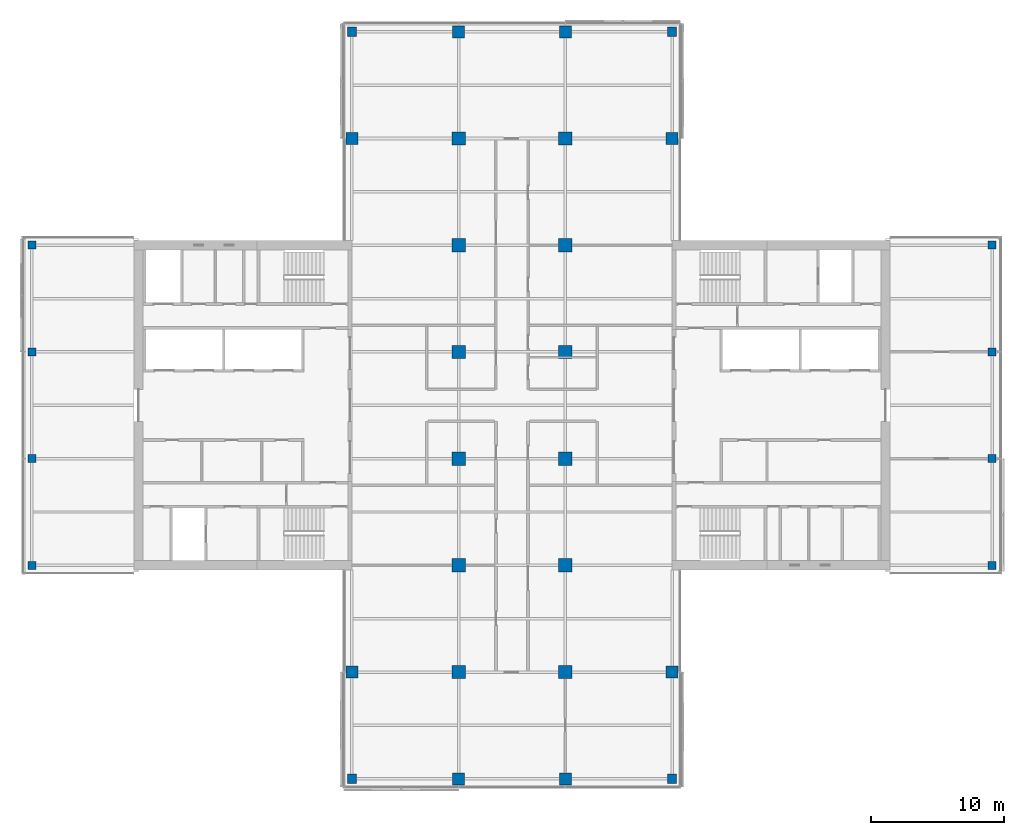
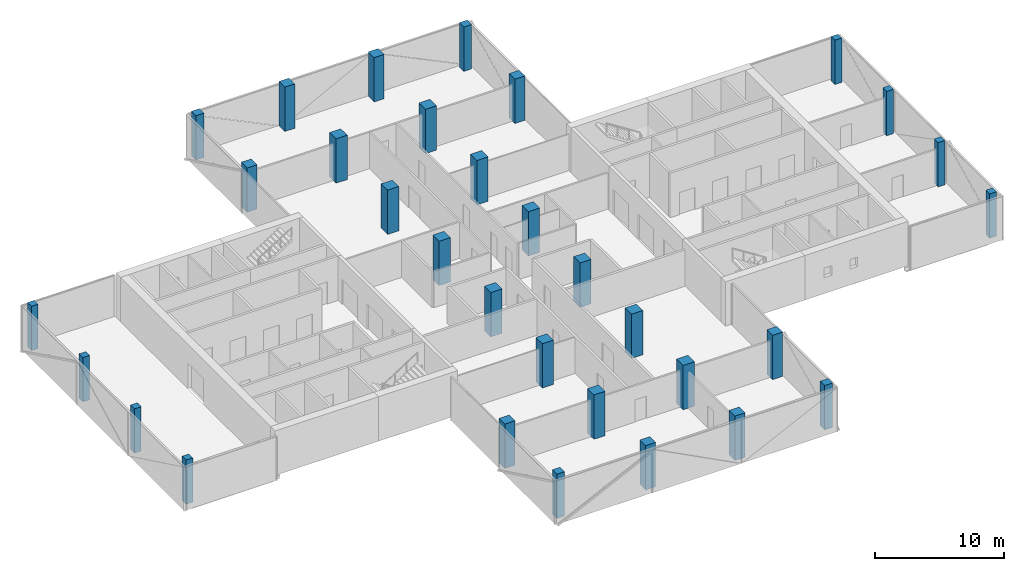
# One storey, part 1 of 22: 32 columns.
"""IFC4 building model written with IfcOpenShell, lengths in metres."""

from ifc_helpers import new_model, si_unit, direction, frame, origin, origin_2d, place, context, subcontext, project, spatial, rectangle, extrude, material, material_profile, profile_set, type_object, element, save


model = new_model("IFC4")

# Units and contexts
model_context = context("Model", 3, precision=1e-05, world=origin(), true_north=direction((0.0, 1.0)))
body_context = subcontext(model_context, "Body", "Model", "MODEL_VIEW")
ifc_project = project(units=[si_unit("LENGTHUNIT", "METRE"), si_unit("AREAUNIT", "SQUARE_METRE"), si_unit("VOLUMEUNIT", "CUBIC_METRE"), si_unit("PLANEANGLEUNIT", "RADIAN"), si_unit("MASSUNIT", "GRAM", prefix="KILO")], contexts=[model_context])

# Site, building, storey
site_placement = place(None, origin())
site = spatial("IfcSite", under=ifc_project, at=site_placement, CompositionType="ELEMENT")
building_placement = place(site_placement, origin())
building = spatial("IfcBuilding", under=site, at=building_placement, Name="Crosswind Convention Tower", CompositionType="ELEMENT")
storey_placement = place(building_placement, frame((0.0, 0.0, 146.300048828125)))
storey = spatial("IfcBuildingStorey", under=building, at=storey_placement, Name="L30", CompositionType="ELEMENT", Elevation=146.300048828125)

# Columns
ifc_material_1 = material(Name="Concrete C70/85", Category="concrete")
ifc_material_profile_1 = material_profile(ifc_material_1, rectangle(XDim=1.0, YDim=1.0, at=origin_2d()), Name="RC 1000X1000")
ifc_profile_set_1 = profile_set([ifc_material_profile_1], Name="Concrete C70/85")
column_type_1 = type_object("IfcColumnType", Name="Column RC 1000X1000", PredefinedType="COLUMN", material=ifc_profile_set_1)
for number, where, z_axis, x_axis, name in (
    (1, (121.0, 80.0, 0.0), (0.0, 0.0, 1.0), (1.0, 0.0, 0.0), "C12 L30 6/D"),
    (2, (121.0, 88.0, 0.0), (0.0, 0.0, 1.0), (1.0, 0.0, 0.0), "C12 L30 6/E"),
    (3, (121.0, 96.0, 0.0), (0.0, 0.0, 1.0), (1.0, 0.0, 0.0), "C12 L30 6/F"),
    (4, (121.0, 104.0, 0.0), (0.0, 0.0, 1.0), (1.0, 0.0, 0.0), "C12 L30 6/G"),
    (5, (121.0, 112.0, 0.0), (0.0, 0.0, 1.0), (1.0, 0.0, 0.0), "C12 L30 6/H"),
    (6, (121.0, 120.0, 0.0), (0.0, 0.0, 1.0), (1.0, 0.0, 0.0), "C12 L30 6/I"),
    (7, (129.0, 80.0, 0.0), (0.0, 0.0, 1.0), (1.0, 0.0, 0.0), "C12 L30 7/D"),
    (8, (129.0, 88.0, 0.0), (0.0, 0.0, 1.0), (1.0, 0.0, 0.0), "C12 L30 7/E"),
    (9, (129.0, 96.0, 0.0), (0.0, 0.0, 1.0), (1.0, 0.0, 0.0), "C12 L30 7/F"),
    (10, (129.0, 104.0, 0.0), (0.0, 0.0, 1.0), (1.0, 0.0, 0.0), "C12 L30 7/G"),
    (11, (129.0, 112.0, 0.0), (0.0, 0.0, 1.0), (1.0, 0.0, 0.0), "C12 L30 7/H"),
    (12, (129.0, 120.0, 0.0), (0.0, 0.0, 1.0), (1.0, 0.0, 0.0), "C12 L30 7/I"),
):
    element("IfcColumn", number, at=place(storey_placement, frame(where, z_axis=z_axis, x_axis=x_axis)), inside=storey, type_object=column_type_1, Name=name, PredefinedType="COLUMN", context=body_context, shape_type="SweptSolid", body=[
        extrude(rectangle(XDim=1.0, YDim=1.0, at=origin_2d()), origin(), (0.0, 0.0, 1.0), 4.199951171875),
    ])
ifc_material_2 = material(Name="Concrete C60/75", Category="concrete")
ifc_material_profile_2 = material_profile(ifc_material_2, rectangle(XDim=0.60009765625, YDim=0.60009765625, at=origin_2d()), Name="RC 600X600")
ifc_profile_set_2 = profile_set([ifc_material_profile_2], Name="Concrete C60/75")
column_type_2 = type_object("IfcColumnType", Name="Column RC 600X600", PredefinedType="COLUMN", material=ifc_profile_set_2)
for number, where, z_axis, x_axis, name in (
    (13, (89.0, 88.0, 0.0), (0.0, 0.0, 1.0), (1.0, 0.0, 0.0), "C16 L30 2/E"),
    (14, (89.0, 96.0, 0.0), (0.0, 0.0, 1.0), (1.0, 0.0, 0.0), "C16 L30 2/F"),
    (15, (89.0, 104.0, 0.0), (0.0, 0.0, 1.0), (1.0, 0.0, 0.0), "C16 L30 2/G"),
    (16, (89.0, 112.0, 0.0), (0.0, 0.0, 1.0), (1.0, 0.0, 0.0), "C16 L30 2/H"),
    (17, (161.0, 88.0, 0.0), (0.0, 0.0, 1.0), (1.0, 0.0, 0.0), "C16 L30 11/E"),
    (18, (161.0, 96.0, 0.0), (0.0, 0.0, 1.0), (1.0, 0.0, 0.0), "C16 L30 11/F"),
    (19, (161.0, 104.0, 0.0), (0.0, 0.0, 1.0), (1.0, 0.0, 0.0), "C16 L30 11/G"),
    (20, (161.0, 112.0, 0.0), (0.0, 0.0, 1.0), (1.0, 0.0, 0.0), "C16 L30 11/H"),
):
    element("IfcColumn", number, at=place(storey_placement, frame(where, z_axis=z_axis, x_axis=x_axis)), inside=storey, type_object=column_type_2, Name=name, PredefinedType="COLUMN", context=body_context, shape_type="SweptSolid", body=[
        extrude(rectangle(XDim=0.60009765625, YDim=0.60009765625, at=origin_2d()), origin(), (0.0, 0.0, 1.0), 4.199951171875),
    ])
ifc_material_profile_3 = material_profile(ifc_material_2, rectangle(XDim=0.699951171875, YDim=0.699951171875, at=origin_2d()), Name="RC 700X700")
ifc_profile_set_3 = profile_set([ifc_material_profile_3], Name="Concrete C60/75")
column_type_3 = type_object("IfcColumnType", Name="Column RC 700X700", PredefinedType="COLUMN", material=ifc_profile_set_3)
for number, where, z_axis, x_axis, name in (
    (21, (113.0, 72.0, 0.0), (0.0, 0.0, 1.0), (1.0, 0.0, 0.0), "C15 L30 5/C"),
    (22, (113.0, 128.0, 0.0), (0.0, 0.0, 1.0), (1.0, 0.0, 0.0), "C15 L30 5/J"),
    (23, (137.0, 72.0, 0.0), (0.0, 0.0, 1.0), (1.0, 0.0, 0.0), "C15 L30 8/C"),
    (24, (137.0, 128.0, 0.0), (0.0, 0.0, 1.0), (1.0, 0.0, 0.0), "C15 L30 8/J"),
):
    element("IfcColumn", number, at=place(storey_placement, frame(where, z_axis=z_axis, x_axis=x_axis)), inside=storey, type_object=column_type_3, Name=name, PredefinedType="COLUMN", context=body_context, shape_type="SweptSolid", body=[
        extrude(rectangle(XDim=0.699951171875, YDim=0.699951171875, at=origin_2d()), origin(), (0.0, 0.0, 1.0), 4.199951171875),
    ])
ifc_material_profile_4 = material_profile(ifc_material_2, rectangle(XDim=0.89990234375, YDim=0.89990234375, at=origin_2d()), Name="RC 900X900")
ifc_profile_set_4 = profile_set([ifc_material_profile_4], Name="Concrete C60/75")
column_type_4 = type_object("IfcColumnType", Name="Column RC 900X900", PredefinedType="COLUMN", material=ifc_profile_set_4)
for number, where, z_axis, x_axis, name in (
    (25, (113.0, 80.0, 0.0), (0.0, 0.0, 1.0), (1.0, 0.0, 0.0), "C13 L30 5/D"),
    (26, (113.0, 120.0, 0.0), (0.0, 0.0, 1.0), (1.0, 0.0, 0.0), "C13 L30 5/I"),
    (27, (121.0, 72.0, 0.0), (0.0, 0.0, 1.0), (1.0, 0.0, 0.0), "C13 L30 6/C"),
    (28, (121.0, 128.0, 0.0), (0.0, 0.0, 1.0), (1.0, 0.0, 0.0), "C13 L30 6/J"),
    (29, (129.0, 72.0, 0.0), (0.0, 0.0, 1.0), (1.0, 0.0, 0.0), "C13 L30 7/C"),
    (30, (129.0, 128.0, 0.0), (0.0, 0.0, 1.0), (1.0, 0.0, 0.0), "C13 L30 7/J"),
    (31, (137.0, 80.0, 0.0), (0.0, 0.0, 1.0), (1.0, 0.0, 0.0), "C13 L30 8/D"),
    (32, (137.0, 120.0, 0.0), (0.0, 0.0, 1.0), (1.0, 0.0, 0.0), "C13 L30 8/I"),
):
    element("IfcColumn", number, at=place(storey_placement, frame(where, z_axis=z_axis, x_axis=x_axis)), inside=storey, type_object=column_type_4, Name=name, PredefinedType="COLUMN", context=body_context, shape_type="SweptSolid", body=[
        extrude(rectangle(XDim=0.89990234375, YDim=0.89990234375, at=origin_2d()), origin(), (0.0, 0.0, 1.0), 4.199951171875),
    ])

save(model, "model.ifc")
